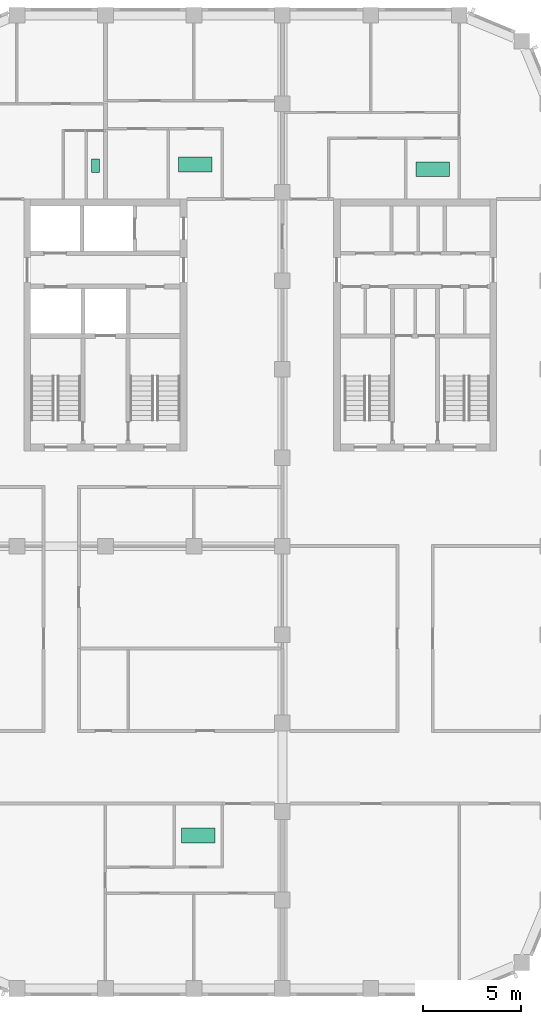
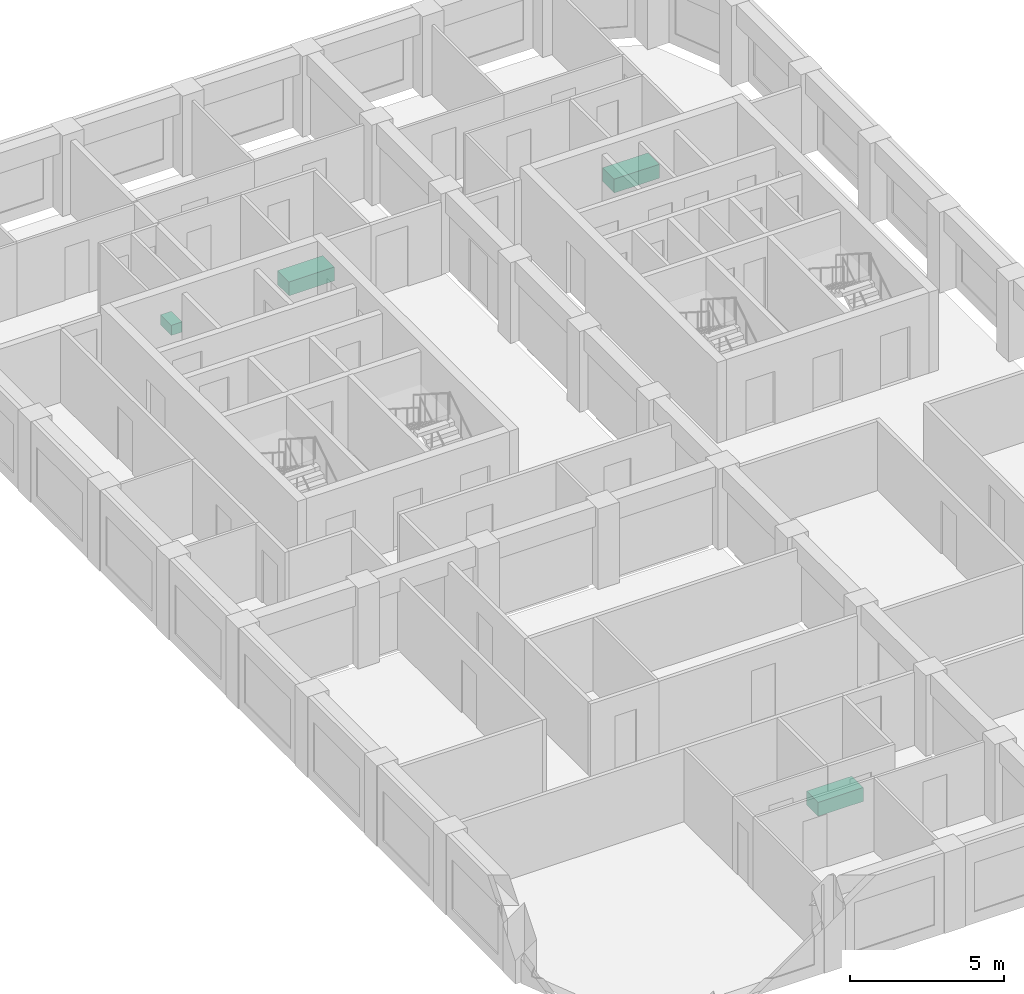
# One storey, part 10 of 10: 4 sanitary terminals.
"""IFC4 building model written with IfcOpenShell, lengths in metres."""

import ifcopenshell
import ifcopenshell.guid

model = None  # the IFC model being written
_history = None  # IfcOwnerHistory: only IFC2X3 demands one
_inside = {}  # id of a spatial element -> (the spatial element, [elements in it])
_under = {}  # id of a project, library or spatial element -> (it, [spatial elements below it])
_declared = {}  # id of a project -> (the project, [libraries it declares])
_typed = {}  # id of a type object -> (the type object, [elements of that type])
_made_of = {}  # id of a material, layer set ... -> (it, [elements and type objects made of it])


def new_model(schema):
    """Start an empty IFC model of exactly this schema.

    Asked for "IFC4X3", IfcOpenShell would pick the latest addendum, in which some entities
    have other attributes; the version numbers below select the first issue.
    IFC2X3 requires an IfcOwnerHistory on every rooted entity: one is made here for all.
    """
    global model, _history
    if schema == "IFC4X3":
        model = ifcopenshell.file(schema_version=(4, 3, 0, 0))
    else:
        model = ifcopenshell.file(schema=schema)
    _inside.clear()
    _under.clear()
    _declared.clear()
    _typed.clear()
    _made_of.clear()
    _history = None
    if model.schema == "IFC2X3":
        org = make("IfcOrganization", Name="unknown")
        user = make(
            "IfcPersonAndOrganization",
            ThePerson=make("IfcPerson", FamilyName="unknown"),
            TheOrganization=org,
        )
        app = make(
            "IfcApplication",
            ApplicationDeveloper=org,
            Version="unknown",
            ApplicationFullName="unknown",
            ApplicationIdentifier="unknown",
        )
        _history = make(
            "IfcOwnerHistory",
            OwningUser=user,
            OwningApplication=app,
            ChangeAction="ADDED",
            CreationDate=0,
        )
    return model


def make(cls, **values):
    """One entity of the class cls with the attributes given. An attribute that is None is left unset."""
    return model.create_entity(
        cls, **{name: value for name, value in values.items() if value is not None}
    )


def rooted(cls, **values):
    """An entity with a GlobalId (a new one), such as an element, a storey or a relation."""
    return make(cls, GlobalId=ifcopenshell.guid.new(), OwnerHistory=_history, **values)


def si_unit(unit_type, name, prefix=None):
    """IfcSIUnit, for example si_unit("LENGTHUNIT", "METRE", prefix="MILLI")."""
    return make("IfcSIUnit", UnitType=unit_type, Prefix=prefix, Name=name)


def assignment(units):
    """IfcUnitAssignment: the units of a project."""
    return None if units is None else make("IfcUnitAssignment", Units=units)


def point(xyz):
    """IfcCartesianPoint."""
    return None if xyz is None else make("IfcCartesianPoint", Coordinates=xyz)


def direction(xyz):
    """IfcDirection."""
    return None if xyz is None else make("IfcDirection", DirectionRatios=xyz)


def frame(location, z_axis=None, x_axis=None):
    """IfcAxis2Placement3D, a coordinate frame: its origin and axes. An axis left out is left unset."""
    return make(
        "IfcAxis2Placement3D",
        Location=point(location),
        Axis=direction(z_axis),
        RefDirection=direction(x_axis),
    )


def frame_2d(location, x_axis=None):
    """IfcAxis2Placement2D, a coordinate frame in the plane: its origin and x axis."""
    return make(
        "IfcAxis2Placement2D", Location=point(location), RefDirection=direction(x_axis)
    )


def origin():
    """The frame at (0, 0, 0) with its axes left unset."""
    return frame((0.0, 0.0, 0.0))


def origin_2d():
    """The frame at (0, 0) in the plane with its x axis left unset."""
    return frame_2d((0.0, 0.0))


def place(relative_to, where):
    """IfcLocalPlacement: puts the frame where relative to a parent placement (None: the world)."""
    return make(
        "IfcLocalPlacement", PlacementRelTo=relative_to, RelativePlacement=where
    )


def context(
    kind, dimensions, precision=None, world=None, true_north=None, identifier=None
):
    """IfcGeometricRepresentationContext, for example the 3D "Model" context."""
    return make(
        "IfcGeometricRepresentationContext",
        ContextIdentifier=identifier,
        ContextType=kind,
        CoordinateSpaceDimension=dimensions,
        Precision=precision,
        WorldCoordinateSystem=world,
        TrueNorth=true_north,
    )


def subcontext(parent, identifier, kind, view, scale=None):
    """IfcGeometricRepresentationSubContext, for example "Body" below "Model"."""
    return make(
        "IfcGeometricRepresentationSubContext",
        ContextIdentifier=identifier,
        ContextType=kind,
        ParentContext=parent,
        TargetScale=scale,
        TargetView=view,
    )


def project(units=None, contexts=None):
    """IfcProject with its units and contexts."""
    return rooted(
        "IfcProject",
        Name="project",
        RepresentationContexts=contexts,
        UnitsInContext=assignment(units),
    )


def spatial(cls, under=None, at=None, **own):
    """A site, building, storey or space (cls), placed at a placement, below another one or the project."""
    s = rooted(cls, ObjectPlacement=at, **own)
    if under is not None:
        _under.setdefault(under.id(), (under, []))[1].append(s)
    return s


def profile(cls, at=None, kind="AREA", **sizes):
    """A parametric profile (cls). Its sizes go by their IFC names, for example OverallWidth=200.0."""
    return make(cls, ProfileType=kind, Position=at, **sizes)


def rectangle(**sizes):
    """IfcRectangleProfileDef."""
    return profile("IfcRectangleProfileDef", **sizes)


def extrude(swept, where, along, depth):
    """IfcExtrudedAreaSolid: the profile swept, set in the frame where, extruded along a direction by depth."""
    return make(
        "IfcExtrudedAreaSolid",
        SweptArea=swept,
        Position=where,
        ExtrudedDirection=direction(along),
        Depth=depth,
    )


def shape(context_of_items, identifier, shape_type, items):
    """IfcShapeRepresentation: the items that make up one representation, for example the "Body"."""
    return make(
        "IfcShapeRepresentation",
        ContextOfItems=context_of_items,
        RepresentationIdentifier=identifier,
        RepresentationType=shape_type,
        Items=items,
    )


def material(Name=None, Category=None):
    """IfcMaterial."""
    return make("IfcMaterial", Name=Name, Category=Category)


def made_of(thing, what):
    """Note that an element or type object is made of a material, layer set ...; save() writes the relation."""
    if what is not None:
        _made_of.setdefault(what.id(), (what, []))[1].append(thing)
    return thing


def type_object(cls, material=None, **own):
    """A type object (cls), such as IfcWallType, which elements share."""
    return made_of(rooted(cls, **own), material)


def element(
    cls,
    number,
    at=None,
    inside=None,
    cuts=None,
    type_object=None,
    material=None,
    context=None,
    identifier="Body",
    shape_type=None,
    held_by="IfcProductDefinitionShape",
    body=None,
    shapes=None,
    **own,
):
    """One element of the class cls, such as IfcWall. Its Tag is "e" and its number.

    at: its placement. inside: the storey or other place that contains it. cuts: it is an
    opening in that element (IfcRelVoidsElement). A single representation is given by context,
    identifier, shape_type and body (its items); several are given by shapes. held_by: the class
    of the entity that holds the representations. save() writes the other relations.
    """
    e = rooted(cls, Tag="e%d" % number, ObjectPlacement=at, **own)
    if body is not None:
        shapes = [shape(context, identifier, shape_type, body)]
    if shapes is not None:
        e.Representation = make(held_by, Representations=shapes)
    if inside is not None:
        _inside.setdefault(inside.id(), (inside, []))[1].append(e)
    if cuts is not None:
        rooted(
            "IfcRelVoidsElement", RelatingBuildingElement=cuts, RelatedOpeningElement=e
        )
    if type_object is not None:
        _typed.setdefault(type_object.id(), (type_object, []))[1].append(e)
    return made_of(e, material)


def aggregate(whole, parts):
    """IfcRelAggregates: a whole, such as a stair, and the parts it consists of."""
    return rooted("IfcRelAggregates", RelatingObject=whole, RelatedObjects=parts)


def save(model, path):
    """Write the relations noted so far, then the file.

    IfcRelAggregates (storeys below a building ...), IfcRelContainedInSpatialStructure (elements
    in a storey), IfcRelDefinesByType, IfcRelAssociatesMaterial and IfcRelDeclares: one each for
    every whole, place, type object, material and project.
    """
    for whole, parts in _under.values():
        aggregate(whole, parts)
    for where, things in _inside.values():
        rooted(
            "IfcRelContainedInSpatialStructure",
            RelatedElements=things,
            RelatingStructure=where,
        )
    for kind, things in _typed.values():
        rooted("IfcRelDefinesByType", RelatedObjects=things, RelatingType=kind)
    for what, things in _made_of.values():
        rooted("IfcRelAssociatesMaterial", RelatedObjects=things, RelatingMaterial=what)
    for by, libraries in _declared.values():
        rooted("IfcRelDeclares", RelatingContext=by, RelatedDefinitions=libraries)
    model.write(path)


model = new_model("IFC4")

# Units and contexts
model_context = context("Model", 3, precision=1e-05, world=origin(), true_north=direction((0.0, 1.0)))
body_context = subcontext(model_context, "Body", "Model", "MODEL_VIEW")
ifc_project = project(units=[si_unit("LENGTHUNIT", "METRE"), si_unit("AREAUNIT", "SQUARE_METRE"), si_unit("VOLUMEUNIT", "CUBIC_METRE"), si_unit("PLANEANGLEUNIT", "RADIAN"), si_unit("MASSUNIT", "GRAM", prefix="KILO")], contexts=[model_context])

# Site, building, storey
site_placement = place(None, origin())
site = spatial("IfcSite", under=ifc_project, at=site_placement, CompositionType="ELEMENT")
building_placement = place(site_placement, origin())
building = spatial("IfcBuilding", under=site, at=building_placement, Name="Girih Gate Residences", CompositionType="ELEMENT")
storey_placement = place(building_placement, frame((0.0, 0.0, 210.094970703125)))
storey = spatial("IfcBuildingStorey", under=building, at=storey_placement, Name="L58", CompositionType="ELEMENT", Elevation=210.094970703125)

# Sanitary terminals
ifc_material_1 = material(Name="Acrylic")
sanitary_terminal_type_1 = type_object("IfcSanitaryTerminalType", Name="Bath 1700", PredefinedType="BATH", material=ifc_material_1)
for number, where, z_axis, x_axis, name in (
    (1, (13.722900390625, 7.783935546875, 0.0), (0.0, 0.0, 1.0), (1.0, 0.0, 0.0), "Bath 1700 L58"),
    (2, (13.574951171875, 41.9140625, 0.0), (0.0, 0.0, 1.0), (1.0, 0.0, 0.0), "Bath 1700 L58"),
    (3, (25.638916015625, 41.674072265625, 0.0), (0.0, 0.0, 1.0), (1.0, 0.0, 0.0), "Bath 1700 L58"),
):
    element("IfcSanitaryTerminal", number, at=place(storey_placement, frame(where, z_axis=z_axis, x_axis=x_axis)), inside=storey, type_object=sanitary_terminal_type_1, Name=name, PredefinedType="BATH", context=body_context, shape_type="SweptSolid", body=[
        extrude(rectangle(XDim=1.699951171875, YDim=0.75, at=origin_2d()), origin(), (0.0, 0.0, 1.0), 0.550048828125),
    ])
ifc_material_2 = material(Name="Vitreous china")
sanitary_terminal_type_2 = type_object("IfcSanitaryTerminalType", Name="WC pan", PredefinedType="TOILETPAN", material=ifc_material_2)
sanitary_terminal_placement = place(storey_placement, frame((8.492919921875, 41.85400390625, 0.0), z_axis=(0.0, 0.0, 1.0), x_axis=(1.0, 0.0, 0.0)))
element("IfcSanitaryTerminal", 4, at=sanitary_terminal_placement, inside=storey, type_object=sanitary_terminal_type_2, Name="WC pan L58", PredefinedType="TOILETPAN", context=body_context, shape_type="SweptSolid", body=[
    extrude(rectangle(XDim=0.39990234375, YDim=0.699951171875, at=origin_2d()), origin(), (0.0, 0.0, 1.0), 0.39990234375),
])

save(model, "model.ifc")
